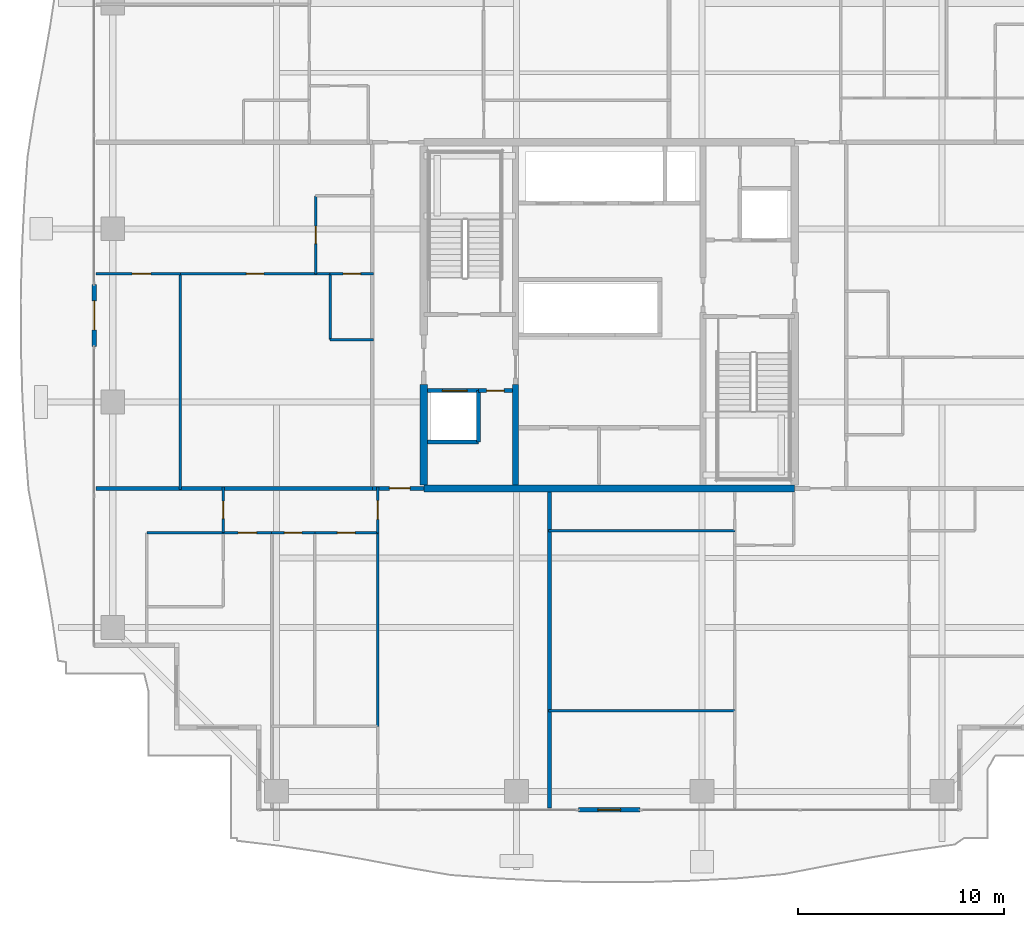
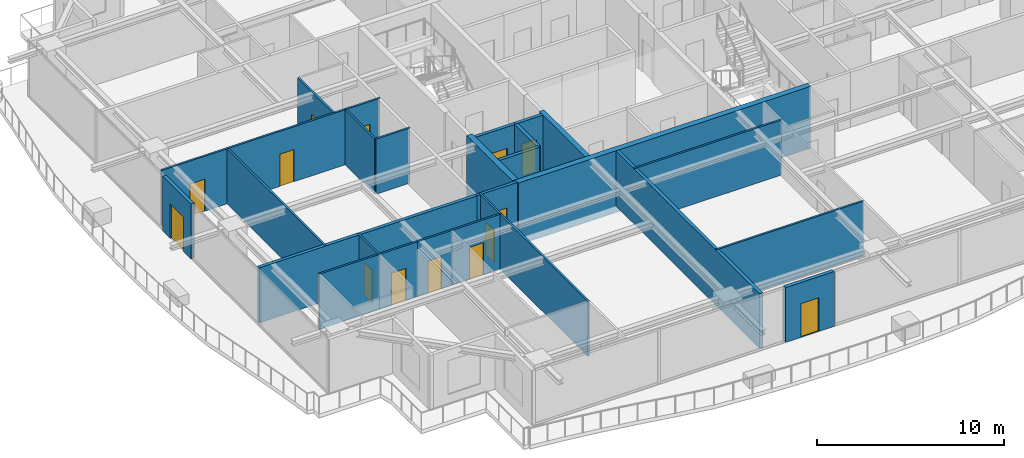
# One storey, part 24 of 35: 28 walls, 14 doors, 14 openings.
"""IFC4 building model written with IfcOpenShell, lengths in metres."""

from ifc_helpers import new_model, si_unit, direction, frame, frame_2d, origin, place, context, subcontext, project, spatial, rectangle, extrude, source, transform, mapped, material, layer, layer_set, type_object, element, fill, save


model = new_model("IFC4")

# Units and contexts
model_context = context("Model", 3, precision=1e-05, world=origin(), true_north=direction((0.0, 1.0)))
body_context = subcontext(model_context, "Body", "Model", "MODEL_VIEW")
ifc_project = project(units=[si_unit("LENGTHUNIT", "METRE"), si_unit("AREAUNIT", "SQUARE_METRE"), si_unit("VOLUMEUNIT", "CUBIC_METRE"), si_unit("PLANEANGLEUNIT", "RADIAN"), si_unit("MASSUNIT", "GRAM", prefix="KILO")], contexts=[model_context])

# Site, building, storey
site_placement = place(None, origin())
site = spatial("IfcSite", under=ifc_project, at=site_placement, CompositionType="ELEMENT")
building_placement = place(site_placement, origin())
building = spatial("IfcBuilding", under=site, at=building_placement, Name="Serunith Strait Residences", CompositionType="ELEMENT")
storey_placement = place(building_placement, frame((0.0, 0.0, 210.449951171875)))
storey = spatial("IfcBuildingStorey", under=building, at=storey_placement, Name="L52", CompositionType="ELEMENT", Elevation=210.449951171875)

# Wall, opening, door
ifc_material_1 = material(Name="Pale-Champagne Aluminium Insulated Panel", Category="aluminium")
ifc_layer_1 = layer(ifc_material_1, 0.219970703125, Name="Pale-Champagne Aluminium Insulated Panel")
ifc_layer_set_1 = layer_set([ifc_layer_1], Name="Pale-Champagne Aluminium Insulated Panel")
wall_type_1 = type_object("IfcWallType", Name="EW-ALUM-220", PredefinedType="ELEMENTEDWALL", material=ifc_layer_set_1)
wall_1_placement = place(storey_placement, frame((30.89990234375, 1.199951171875, 0.0), z_axis=(0.0, 0.0, 1.0), x_axis=(1.0, 0.0, 0.0)))
wall_1 = element("IfcWall", 1, at=wall_1_placement, inside=storey, type_object=wall_type_1, Name="L52 S Facade Pier Wall", PredefinedType="ELEMENTEDWALL", context=body_context, shape_type="SweptSolid", body=[
    extrude(rectangle(XDim=3.0, YDim=0.219970703125, at=frame_2d((1.5, 0.0))), origin(), (0.0, 0.0, 1.0), 3.574951171875),
])
opening_1_placement = place(wall_1_placement, frame((0.949951171875, 0.0, 0.0)))
opening_1 = element("IfcOpeningElement", 2, at=opening_1_placement, cuts=wall_1, Name="Opening ED-03", PredefinedType="OPENING", context=body_context, shape_type="SweptSolid", body=[
    extrude(rectangle(XDim=1.10009765625, YDim=2.199951171875, at=frame_2d((0.550048828125, 1.10009765625))), frame((0.0, 0.1201171875, 0.0), z_axis=(0.0, -1.0, 0.0), x_axis=(1.0, 0.0, 0.0)), (0.0, 0.0, 1.0), 0.239990234375),
])
ifc_material_2 = material(Name="Thermally-Broken Aluminium Glazed Balcony Door", Category="aluminium")
door_type_1 = type_object("IfcDoorType", Name="ED-BALC-1100", OperationType="NOTDEFINED", PredefinedType="DOOR", material=ifc_material_2)
shared_shape_1 = source(origin(), body_context, "Body", "SweptSolid", [
    extrude(rectangle(XDim=1.10009765625, YDim=2.199951171875, at=frame_2d((0.550048828125, 1.10009765625))), frame((0.0, 0.02490234375, 0.0), z_axis=(0.0, -1.0, 0.0), x_axis=(1.0, 0.0, 0.0)), (0.0, 0.0, 1.0), 0.050048828125),
])
door_1_placement = place(opening_1_placement, origin())
door_1 = element("IfcDoor", 3, at=door_1_placement, inside=storey, type_object=door_type_1, Name="L52 S Vertical-Forest Balcony Door", OperationType="SINGLE_SWING_LEFT", OverallHeight=2.199951171875, OverallWidth=1.10009765625, PredefinedType="DOOR", context=body_context, shape_type="MappedRepresentation", body=[
    mapped(shared_shape_1, transform((0.0, 0.0, 0.0), scale=1.0)),
])
fill(opening_1, door_1)

wall_2_placement = place(storey_placement, frame((7.39990234375, 26.699951171875, 0.0), z_axis=(0.0, 0.0, 1.0), x_axis=(0.0, -1.0, 0.0)))
wall_2 = element("IfcWall", 4, at=wall_2_placement, inside=storey, type_object=wall_type_1, Name="L52 W Facade Pier Wall", PredefinedType="ELEMENTEDWALL", context=body_context, shape_type="SweptSolid", body=[
    extrude(rectangle(XDim=3.0, YDim=0.219970703125, at=frame_2d((1.5, 0.0))), origin(), (0.0, 0.0, 1.0), 3.574951171875),
])
opening_2_placement = place(wall_2_placement, frame((0.800048828125, 0.0, 0.0)))
opening_2 = element("IfcOpeningElement", 5, at=opening_2_placement, cuts=wall_2, Name="Opening ED-04", PredefinedType="OPENING", context=body_context, shape_type="SweptSolid", body=[
    extrude(rectangle(XDim=1.39990234375, YDim=2.25, at=frame_2d((0.699951171875, 1.125))), frame((0.0, 0.1201171875, 0.0), z_axis=(0.0, -1.0, 0.0), x_axis=(1.0, 0.0, 0.0)), (0.0, 0.0, 1.0), 0.239990234375),
])
ifc_material_3 = material(Name="Thermally-Broken Aluminium Sliding Balcony Door", Category="aluminium")
door_type_2 = type_object("IfcDoorType", Name="ED-BALC-1400", OperationType="NOTDEFINED", PredefinedType="DOOR", material=ifc_material_3)
shared_shape_2 = source(origin(), body_context, "Body", "SweptSolid", [
    extrude(rectangle(XDim=1.39990234375, YDim=2.25, at=frame_2d((0.699951171875, 1.125))), frame((0.0, 0.02490234375, 0.0), z_axis=(0.0, -1.0, 0.0), x_axis=(1.0, 0.0, 0.0)), (0.0, 0.0, 1.0), 0.050048828125),
])
door_2_placement = place(opening_2_placement, origin())
door_2 = element("IfcDoor", 6, at=door_2_placement, inside=storey, type_object=door_type_2, Name="L52 W Vertical-Forest Balcony Door", OperationType="SLIDING_TO_LEFT", OverallHeight=2.25, OverallWidth=1.39990234375, PredefinedType="DOOR", context=body_context, shape_type="MappedRepresentation", body=[
    mapped(shared_shape_2, transform((0.0, 0.0, 0.0), scale=1.0)),
])
fill(opening_2, door_2)

ifc_material_4 = material(Name="Fire-rated acoustic gypsum partition")
ifc_layer_2 = layer(ifc_material_4, 0.179931640625, Name="Fire-rated acoustic gypsum partition")
ifc_layer_set_2 = layer_set([ifc_layer_2], Name="Fire-rated acoustic gypsum partition")
wall_type_2 = type_object("IfcWallType", Name="IW-CORR-180", PredefinedType="PARTITIONING", material=ifc_layer_set_2)
wall_3_placement = place(storey_placement, frame((20.902099609375, 16.800048828125, 0.0), z_axis=(0.0, 0.0, 1.0), x_axis=(1.0, 0.0, 0.0)))
wall_3 = element("IfcWall", 7, at=wall_3_placement, inside=storey, type_object=wall_type_2, Name="L52 Partition Wall 022", PredefinedType="PARTITIONING", context=body_context, shape_type="SweptSolid", body=[
    extrude(rectangle(XDim=2.495849609375, YDim=0.179931640625, at=frame_2d((1.248046875, 0.0))), origin(), (0.0, 0.0, 1.0), 3.590087890625),
])
opening_3_placement = place(wall_3_placement, frame((0.830078125, 0.0, 0.0)))
opening_3 = element("IfcOpeningElement", 8, at=opening_3_placement, cuts=wall_3, Name="Opening D-APT1000", PredefinedType="OPENING", context=body_context, shape_type="SweptSolid", body=[
    extrude(rectangle(XDim=1.0, YDim=2.14990234375, at=frame_2d((0.5, 1.074951171875))), frame((0.0, 0.10009765625, 0.0), z_axis=(0.0, -1.0, 0.0), x_axis=(1.0, 0.0, 0.0)), (0.0, 0.0, 1.0), 0.199951171875),
])
ifc_material_5 = material(Name="Solid timber engineered fire door", Category="wood")
door_type_3 = type_object("IfcDoorType", Name="ID-APT-1000", OperationType="NOTDEFINED", PredefinedType="DOOR", material=ifc_material_5)
shared_shape_3 = source(origin(), body_context, "Body", "SweptSolid", [
    extrude(rectangle(XDim=1.0, YDim=2.14990234375, at=frame_2d((0.5, 1.074951171875))), frame((0.0, 0.02490234375, 0.0), z_axis=(0.0, -1.0, 0.0), x_axis=(1.0, 0.0, 0.0)), (0.0, 0.0, 1.0), 0.050048828125),
])
door_3_placement = place(opening_3_placement, origin())
door_3 = element("IfcDoor", 9, at=door_3_placement, inside=storey, type_object=door_type_3, Name="L52 Unit 01 Entrance Door", OperationType="SINGLE_SWING_LEFT", OverallHeight=2.14990234375, OverallWidth=1.0, PredefinedType="DOOR", context=body_context, shape_type="MappedRepresentation", body=[
    mapped(shared_shape_3, transform((0.0, 0.0, 0.0), scale=1.0)),
])
fill(opening_3, door_3)

ifc_material_6 = material(Name="Lightweight steel-stud gypsum partition", Category="steel")
ifc_layer_3 = layer(ifc_material_6, 0.1201171875, Name="Lightweight steel-stud gypsum partition")
ifc_layer_set_3 = layer_set([ifc_layer_3], Name="Lightweight steel-stud gypsum partition")
wall_type_3 = type_object("IfcWallType", Name="IW-PART-120", PredefinedType="PARTITIONING", material=ifc_layer_set_3)
wall_4_placement = place(storey_placement, frame((21.159912109375, 14.64990234375, 0.0), z_axis=(0.0, 0.0, 1.0), x_axis=(0.0, 1.0, 0.0)))
wall_4 = element("IfcWall", 10, at=wall_4_placement, inside=storey, type_object=wall_type_3, Name="L52 Partition Wall 028", PredefinedType="PARTITIONING", context=body_context, shape_type="SweptSolid", body=[
    extrude(rectangle(XDim=2.210205078125, YDim=0.1201171875, at=frame_2d((1.10498046875, 0.0))), origin(), (0.0, 0.0, 1.0), 3.590087890625),
])
opening_4_placement = place(wall_4_placement, frame((0.655029296875, 0.0, 0.0)))
opening_4 = element("IfcOpeningElement", 11, at=opening_4_placement, cuts=wall_4, Name="Opening D-RM900", PredefinedType="OPENING", context=body_context, shape_type="SweptSolid", body=[
    extrude(rectangle(XDim=0.89990234375, YDim=2.10009765625, at=frame_2d((0.449951171875, 1.050048828125))), frame((0.0, 0.070068359375, 0.0), z_axis=(0.0, -1.0, 0.0), x_axis=(1.0, 0.0, 0.0)), (0.0, 0.0, 1.0), 0.14013671875),
])
ifc_material_7 = material(Name="Engineered timber flush bedroom door", Category="wood")
door_type_4 = type_object("IfcDoorType", Name="ID-ROOM-900", OperationType="NOTDEFINED", PredefinedType="DOOR", material=ifc_material_7)
shared_shape_4 = source(origin(), body_context, "Body", "SweptSolid", [
    extrude(rectangle(XDim=0.89990234375, YDim=2.10009765625, at=frame_2d((0.449951171875, 1.050048828125))), frame((0.0, 0.02490234375, 0.0), z_axis=(0.0, -1.0, 0.0), x_axis=(1.0, 0.0, 0.0)), (0.0, 0.0, 1.0), 0.050048828125),
])
door_4_placement = place(opening_4_placement, origin())
door_4 = element("IfcDoor", 12, at=door_4_placement, inside=storey, type_object=door_type_4, Name="L52 Hall W 5201 Door", OperationType="SINGLE_SWING_LEFT", OverallHeight=2.10009765625, OverallWidth=0.89990234375, PredefinedType="DOOR", context=body_context, shape_type="MappedRepresentation", body=[
    mapped(shared_shape_4, transform((0.0, 0.0, 0.0), scale=1.0)),
])
fill(opening_4, door_4)

# Wall
wall_5_placement = place(storey_placement, frame((21.159912109375, 5.2529296875, 0.0), z_axis=(0.0, 0.0, 1.0), x_axis=(0.0, 1.0, 0.0)))
element("IfcWall", 13, at=wall_5_placement, inside=storey, type_object=wall_type_3, Name="L52 Partition Wall 030", PredefinedType="PARTITIONING", context=body_context, shape_type="SweptSolid", body=[
    extrude(rectangle(XDim=9.39501953125, YDim=0.1201171875, at=frame_2d((4.697509765625, 0.0))), origin(), (0.0, 0.0, 1.0), 3.590087890625),
])

# Wall, opening, door
wall_6_placement = place(storey_placement, frame((16.010009765625, 14.64990234375, 0.0), z_axis=(0.0, 0.0, 1.0), x_axis=(1.0, 0.0, 0.0)))
wall_6 = element("IfcWall", 14, at=wall_6_placement, inside=storey, type_object=wall_type_3, Name="L52 Partition Wall 034", PredefinedType="PARTITIONING", context=body_context, shape_type="SweptSolid", body=[
    extrude(rectangle(XDim=2.10009765625, YDim=0.1201171875, at=frame_2d((1.050048828125, 0.0))), origin(), (0.0, 0.0, 1.0), 3.590087890625),
])
opening_5_placement = place(wall_6_placement, frame((0.625, 0.0, 0.0)))
opening_5 = element("IfcOpeningElement", 15, at=opening_5_placement, cuts=wall_6, Name="Opening D-BTH850", PredefinedType="OPENING", context=body_context, shape_type="SweptSolid", body=[
    extrude(rectangle(XDim=0.85009765625, YDim=2.10009765625, at=frame_2d((0.425048828125, 1.050048828125))), frame((0.0, 0.070068359375, 0.0), z_axis=(0.0, -1.0, 0.0), x_axis=(1.0, 0.0, 0.0)), (0.0, 0.0, 1.0), 0.14013671875),
])
ifc_material_8 = material(Name="Moisture-resistant timber bathroom door", Category="wood")
door_type_5 = type_object("IfcDoorType", Name="ID-BATH-850", OperationType="NOTDEFINED", PredefinedType="DOOR", material=ifc_material_8)
shared_shape_5 = source(origin(), body_context, "Body", "SweptSolid", [
    extrude(rectangle(XDim=0.85009765625, YDim=2.10009765625, at=frame_2d((0.425048828125, 1.050048828125))), frame((0.0, 0.02490234375, 0.0), z_axis=(0.0, -1.0, 0.0), x_axis=(1.0, 0.0, 0.0)), (0.0, 0.0, 1.0), 0.050048828125),
])
door_5_placement = place(opening_5_placement, origin())
door_5 = element("IfcDoor", 16, at=door_5_placement, inside=storey, type_object=door_type_5, Name="L52 Bathroom 5201 Door", OperationType="SINGLE_SWING_LEFT", OverallHeight=2.10009765625, OverallWidth=0.85009765625, PredefinedType="DOOR", context=body_context, shape_type="MappedRepresentation", body=[
    mapped(shared_shape_5, transform((0.0, 0.0, 0.0), scale=1.0)),
])
fill(opening_5, door_5)

wall_7_placement = place(storey_placement, frame((18.112060546875, 14.64990234375, 0.0), z_axis=(0.0, 0.0, 1.0), x_axis=(1.0, 0.0, 0.0)))
wall_7 = element("IfcWall", 17, at=wall_7_placement, inside=storey, type_object=wall_type_3, Name="L52 Partition Wall 035", PredefinedType="PARTITIONING", context=body_context, shape_type="SweptSolid", body=[
    extrude(rectangle(XDim=3.0478515625, YDim=0.1201171875, at=frame_2d((1.52392578125, 0.0))), origin(), (0.0, 0.0, 1.0), 3.590087890625),
])
opening_6_placement = place(wall_7_placement, frame((1.09912109375, 0.0, 0.0)))
opening_6 = element("IfcOpeningElement", 18, at=opening_6_placement, cuts=wall_7, Name="Opening D-RM850", PredefinedType="OPENING", context=body_context, shape_type="SweptSolid", body=[
    extrude(rectangle(XDim=0.85009765625, YDim=2.10009765625, at=frame_2d((0.425048828125, 1.050048828125))), frame((0.0, 0.070068359375, 0.0), z_axis=(0.0, -1.0, 0.0), x_axis=(1.0, 0.0, 0.0)), (0.0, 0.0, 1.0), 0.14013671875),
])
ifc_material_9 = material(Name="Engineered timber flush study and kitchen door", Category="wood")
door_type_6 = type_object("IfcDoorType", Name="ID-ROOM-850", OperationType="NOTDEFINED", PredefinedType="DOOR", material=ifc_material_9)
door_6_placement = place(opening_6_placement, origin())
door_6 = element("IfcDoor", 19, at=door_6_placement, inside=storey, type_object=door_type_6, Name="L52 Kitchen 5201 Door", OperationType="SINGLE_SWING_RIGHT", OverallHeight=2.10009765625, OverallWidth=0.85009765625, PredefinedType="DOOR", context=body_context, shape_type="MappedRepresentation", body=[
    mapped(shared_shape_5, transform((0.0, 0.0, 0.0), scale=1.0)),
])
fill(opening_6, door_6)

wall_8_placement = place(storey_placement, frame((13.659912109375, 14.64990234375, 0.0), z_axis=(0.0, 0.0, 1.0), x_axis=(1.0, 0.0, 0.0)))
wall_8 = element("IfcWall", 20, at=wall_8_placement, inside=storey, type_object=wall_type_3, Name="L52 Partition Wall 036", PredefinedType="PARTITIONING", context=body_context, shape_type="SweptSolid", body=[
    extrude(rectangle(XDim=2.34814453125, YDim=0.1201171875, at=frame_2d((1.174072265625, 0.0))), origin(), (0.0, 0.0, 1.0), 3.590087890625),
])
opening_7_placement = place(wall_8_placement, frame((0.72412109375, 0.0, 0.0)))
opening_7 = element("IfcOpeningElement", 21, at=opening_7_placement, cuts=wall_8, Name="Opening D-RM900", PredefinedType="OPENING", context=body_context, shape_type="SweptSolid", body=[
    extrude(rectangle(XDim=0.89990234375, YDim=2.10009765625, at=frame_2d((0.449951171875, 1.050048828125))), frame((0.0, 0.070068359375, 0.0), z_axis=(0.0, -1.0, 0.0), x_axis=(1.0, 0.0, 0.0)), (0.0, 0.0, 1.0), 0.14013671875),
])
door_7_placement = place(opening_7_placement, origin())
door_7 = element("IfcDoor", 22, at=door_7_placement, inside=storey, type_object=door_type_4, Name="L52 Master Bedroom W 5201 Door", OperationType="SINGLE_SWING_LEFT", OverallHeight=2.10009765625, OverallWidth=0.89990234375, PredefinedType="DOOR", context=body_context, shape_type="MappedRepresentation", body=[
    mapped(shared_shape_4, transform((0.0, 0.0, 0.0), scale=1.0)),
])
fill(opening_7, door_7)

# Wall
wall_9_placement = place(storey_placement, frame((9.9599609375, 14.64990234375, 0.0), z_axis=(0.0, 0.0, 1.0), x_axis=(1.0, 0.0, 0.0)))
element("IfcWall", 23, at=wall_9_placement, inside=storey, type_object=wall_type_3, Name="L52 Partition Wall 039", PredefinedType="PARTITIONING", context=body_context, shape_type="SweptSolid", body=[
    extrude(rectangle(XDim=3.697998046875, YDim=0.1201171875, at=frame_2d((1.84912109375, 0.0))), origin(), (0.0, 0.0, 1.0), 3.590087890625),
])

# Wall, opening, door
wall_10_placement = place(storey_placement, frame((13.659912109375, 14.652099609375, 0.0), z_axis=(0.0, 0.0, 1.0), x_axis=(0.0, 1.0, 0.0)))
wall_10 = element("IfcWall", 24, at=wall_10_placement, inside=storey, type_object=wall_type_3, Name="L52 Partition Wall 041", PredefinedType="PARTITIONING", context=body_context, shape_type="SweptSolid", body=[
    extrude(rectangle(XDim=2.2080078125, YDim=0.1201171875, at=frame_2d((1.10400390625, 0.0))), origin(), (0.0, 0.0, 1.0), 3.590087890625),
])
opening_8_placement = place(wall_10_placement, frame((0.678955078125, 0.0, 0.0)))
opening_8 = element("IfcOpeningElement", 25, at=opening_8_placement, cuts=wall_10, Name="Opening D-RM850", PredefinedType="OPENING", context=body_context, shape_type="SweptSolid", body=[
    extrude(rectangle(XDim=0.85009765625, YDim=2.10009765625, at=frame_2d((0.425048828125, 1.050048828125))), frame((0.0, 0.070068359375, 0.0), z_axis=(0.0, -1.0, 0.0), x_axis=(1.0, 0.0, 0.0)), (0.0, 0.0, 1.0), 0.14013671875),
])
door_8_placement = place(opening_8_placement, origin())
door_8 = element("IfcDoor", 26, at=door_8_placement, inside=storey, type_object=door_type_6, Name="L52 Wardrobe W 5201 Door", OperationType="SINGLE_SWING_LEFT", OverallHeight=2.10009765625, OverallWidth=0.85009765625, PredefinedType="DOOR", context=body_context, shape_type="MappedRepresentation", body=[
    mapped(shared_shape_5, transform((0.0, 0.0, 0.0), scale=1.0)),
])
fill(opening_8, door_8)

# Walls
for number, where, z_axis, x_axis, name in (
    (27, (29.43994140625, 6.02197265625, 0.0), (0.0, 0.0, 1.0), (1.0, 0.0, 0.0), "L52 Partition Wall 045"),
    (28, (29.43994140625, 14.75, 0.0), (0.0, 0.0, 1.0), (1.0, 0.0, 0.0), "L52 Partition Wall 046"),
):
    element("IfcWall", number, at=place(storey_placement, frame(where, z_axis=z_axis, x_axis=x_axis)), inside=storey, type_object=wall_type_3, Name=name, PredefinedType="PARTITIONING", context=body_context, shape_type="SweptSolid", body=[
        extrude(rectangle(XDim=9.06005859375, YDim=0.1201171875, at=frame_2d((4.530029296875, 0.0))), origin(), (0.0, 0.0, 1.0), 3.590087890625),
    ])

# Wall, opening, door
wall_11_placement = place(storey_placement, frame((18.14990234375, 27.219970703125, 0.0), z_axis=(0.0, 0.0, 1.0), x_axis=(0.0, 1.0, 0.0)))
wall_11 = element("IfcWall", 29, at=wall_11_placement, inside=storey, type_object=wall_type_3, Name="L52 Partition Wall 082", PredefinedType="PARTITIONING", context=body_context, shape_type="SweptSolid", body=[
    extrude(rectangle(XDim=3.780029296875, YDim=0.1201171875, at=frame_2d((1.89013671875, 0.0))), origin(), (0.0, 0.0, 1.0), 3.590087890625),
])
opening_9_placement = place(wall_11_placement, frame((1.465087890625, 0.0, 0.0)))
opening_9 = element("IfcOpeningElement", 30, at=opening_9_placement, cuts=wall_11, Name="Opening D-RM850", PredefinedType="OPENING", context=body_context, shape_type="SweptSolid", body=[
    extrude(rectangle(XDim=0.85009765625, YDim=2.10009765625, at=frame_2d((0.425048828125, 1.050048828125))), frame((0.0, 0.070068359375, 0.0), z_axis=(0.0, -1.0, 0.0), x_axis=(1.0, 0.0, 0.0)), (0.0, 0.0, 1.0), 0.14013671875),
])
door_9_placement = place(opening_9_placement, origin())
door_9 = element("IfcDoor", 31, at=door_9_placement, inside=storey, type_object=door_type_6, Name="L52 Kitchen 5205 Door", OperationType="SINGLE_SWING_LEFT", OverallHeight=2.10009765625, OverallWidth=0.85009765625, PredefinedType="DOOR", context=body_context, shape_type="MappedRepresentation", body=[
    mapped(shared_shape_5, transform((0.0, 0.0, 0.0), scale=1.0)),
])
fill(opening_9, door_9)

wall_12_placement = place(storey_placement, frame((7.4951171875, 27.219970703125, 0.0), z_axis=(0.0, 0.0, 1.0), x_axis=(1.0, 0.0, 0.0)))
wall_12 = element("IfcWall", 32, at=wall_12_placement, inside=storey, type_object=wall_type_3, Name="L52 Partition Wall 084", PredefinedType="PARTITIONING", context=body_context, shape_type="SweptSolid", body=[
    extrude(rectangle(XDim=4.0888671875, YDim=0.1201171875, at=frame_2d((2.04443359375, 0.0))), origin(), (0.0, 0.0, 1.0), 3.590087890625),
])
opening_10_placement = place(wall_12_placement, frame((1.75390625, 0.0, 0.0)))
opening_10 = element("IfcOpeningElement", 33, at=opening_10_placement, cuts=wall_12, Name="Opening D-RM900", PredefinedType="OPENING", context=body_context, shape_type="SweptSolid", body=[
    extrude(rectangle(XDim=0.89990234375, YDim=2.10009765625, at=frame_2d((0.449951171875, 1.050048828125))), frame((0.0, 0.070068359375, 0.0), z_axis=(0.0, -1.0, 0.0), x_axis=(1.0, 0.0, 0.0)), (0.0, 0.0, 1.0), 0.14013671875),
])
door_10_placement = place(opening_10_placement, origin())
door_10 = element("IfcDoor", 34, at=door_10_placement, inside=storey, type_object=door_type_4, Name="L52 Master Bedroom 1 5205 Door", OperationType="SINGLE_SWING_RIGHT", OverallHeight=2.10009765625, OverallWidth=0.89990234375, PredefinedType="DOOR", context=body_context, shape_type="MappedRepresentation", body=[
    mapped(shared_shape_4, transform((0.0, 0.0, 0.0), scale=1.0)),
])
fill(opening_10, door_10)

# Walls
wall_13_placement = place(storey_placement, frame((11.583984375, 16.739990234375, 0.0), z_axis=(0.0, 0.0, 1.0), x_axis=(0.0, 1.0, 0.0)))
element("IfcWall", 35, at=wall_13_placement, inside=storey, type_object=wall_type_3, Name="L52 Partition Wall 085", PredefinedType="PARTITIONING", context=body_context, shape_type="SweptSolid", body=[
    extrude(rectangle(XDim=10.47998046875, YDim=0.1201171875, at=frame_2d((5.239990234375, 0.0))), origin(), (0.0, 0.0, 1.0), 3.590087890625),
])
wall_14_placement = place(storey_placement, frame((18.85009765625, 24.02001953125, 0.0), z_axis=(0.0, 0.0, 1.0), x_axis=(0.0, 1.0, 0.0)))
element("IfcWall", 36, at=wall_14_placement, inside=storey, type_object=wall_type_3, Name="L52 Partition Wall 086", PredefinedType="PARTITIONING", context=body_context, shape_type="SweptSolid", body=[
    extrude(rectangle(XDim=3.199951171875, YDim=0.1201171875, at=frame_2d((1.60009765625, 0.0))), origin(), (0.0, 0.0, 1.0), 3.590087890625),
])
wall_15_placement = place(storey_placement, frame((18.85009765625, 24.02001953125, 0.0), z_axis=(0.0, 0.0, 1.0), x_axis=(1.0, 0.0, 0.0)))
element("IfcWall", 37, at=wall_15_placement, inside=storey, type_object=wall_type_3, Name="L52 Partition Wall 087", PredefinedType="PARTITIONING", context=body_context, shape_type="SweptSolid", body=[
    extrude(rectangle(XDim=2.10986328125, YDim=0.1201171875, at=frame_2d((1.054931640625, 0.0))), origin(), (0.0, 0.0, 1.0), 3.590087890625),
])

# Wall, opening, door
wall_16_placement = place(storey_placement, frame((11.5859375, 27.219970703125, 0.0), z_axis=(0.0, 0.0, 1.0), x_axis=(1.0, 0.0, 0.0)))
wall_16 = element("IfcWall", 38, at=wall_16_placement, inside=storey, type_object=wall_type_3, Name="L52 Partition Wall 088", PredefinedType="PARTITIONING", context=body_context, shape_type="SweptSolid", body=[
    extrude(rectangle(XDim=7.26416015625, YDim=0.1201171875, at=frame_2d((3.632080078125, 0.0))), origin(), (0.0, 0.0, 1.0), 3.590087890625),
])
opening_11_placement = place(wall_16_placement, frame((3.20703125, 0.0, 0.0)))
opening_11 = element("IfcOpeningElement", 39, at=opening_11_placement, cuts=wall_16, Name="Opening D-RM850", PredefinedType="OPENING", context=body_context, shape_type="SweptSolid", body=[
    extrude(rectangle(XDim=0.85009765625, YDim=2.10009765625, at=frame_2d((0.425048828125, 1.050048828125))), frame((0.0, 0.070068359375, 0.0), z_axis=(0.0, -1.0, 0.0), x_axis=(1.0, 0.0, 0.0)), (0.0, 0.0, 1.0), 0.14013671875),
])
door_11_placement = place(opening_11_placement, origin())
door_11 = element("IfcDoor", 40, at=door_11_placement, inside=storey, type_object=door_type_6, Name="L52 Walk-in Wardrobe 5205 Door", OperationType="SINGLE_SWING_LEFT", OverallHeight=2.10009765625, OverallWidth=0.85009765625, PredefinedType="DOOR", context=body_context, shape_type="MappedRepresentation", body=[
    mapped(shared_shape_5, transform((0.0, 0.0, 0.0), scale=1.0)),
])
fill(opening_11, door_11)

wall_17_placement = place(storey_placement, frame((18.85205078125, 27.219970703125, 0.0), z_axis=(0.0, 0.0, 1.0), x_axis=(1.0, 0.0, 0.0)))
wall_17 = element("IfcWall", 41, at=wall_17_placement, inside=storey, type_object=wall_type_3, Name="L52 Partition Wall 089", PredefinedType="PARTITIONING", context=body_context, shape_type="SweptSolid", body=[
    extrude(rectangle(XDim=2.10791015625, YDim=0.1201171875, at=frame_2d((1.053955078125, 0.0))), origin(), (0.0, 0.0, 1.0), 3.590087890625),
])
opening_12_placement = place(wall_17_placement, frame((0.62890625, 0.0, 0.0)))
opening_12 = element("IfcOpeningElement", 42, at=opening_12_placement, cuts=wall_17, Name="Opening D-BTH850", PredefinedType="OPENING", context=body_context, shape_type="SweptSolid", body=[
    extrude(rectangle(XDim=0.85009765625, YDim=2.10009765625, at=frame_2d((0.425048828125, 1.050048828125))), frame((0.0, 0.070068359375, 0.0), z_axis=(0.0, -1.0, 0.0), x_axis=(1.0, 0.0, 0.0)), (0.0, 0.0, 1.0), 0.14013671875),
])
door_12_placement = place(opening_12_placement, origin())
door_12 = element("IfcDoor", 43, at=door_12_placement, inside=storey, type_object=door_type_5, Name="L52 Bathroom 5205 Door", OperationType="SINGLE_SWING_RIGHT", OverallHeight=2.10009765625, OverallWidth=0.85009765625, PredefinedType="DOOR", context=body_context, shape_type="MappedRepresentation", body=[
    mapped(shared_shape_5, transform((0.0, 0.0, 0.0), scale=1.0)),
])
fill(opening_12, door_12)

# Walls
ifc_material_10 = material(Name="Twin-stud acoustic gypsum board partition")
ifc_layer_4 = layer(ifc_material_10, 0.199951171875, Name="Twin-stud acoustic gypsum board partition")
ifc_layer_set_4 = layer_set([ifc_layer_4], Name="Twin-stud acoustic gypsum board partition")
wall_type_4 = type_object("IfcWallType", Name="IW-PARTY-200", PredefinedType="PARTITIONING", material=ifc_layer_set_4)
wall_18_placement = place(storey_placement, frame((29.5, 1.281982421875, 0.0), z_axis=(0.0, 0.0, 1.0), x_axis=(0.0, 1.0, 0.0)))
element("IfcWall", 44, at=wall_18_placement, inside=storey, type_object=wall_type_4, Name="L52 Partition Wall 016", PredefinedType="PARTITIONING", context=body_context, shape_type="SweptSolid", body=[
    extrude(rectangle(XDim=15.343017578125, YDim=0.199951171875, at=frame_2d((7.67138671875, 0.0))), origin(), (0.0, 0.0, 1.0), 3.590087890625),
])
wall_19_placement = place(storey_placement, frame((7.48193359375, 16.800048828125, 0.0), z_axis=(0.0, 0.0, 1.0), x_axis=(1.0, 0.0, 0.0)))
element("IfcWall", 45, at=wall_19_placement, inside=storey, type_object=wall_type_4, Name="L52 Partition Wall 018", PredefinedType="PARTITIONING", context=body_context, shape_type="SweptSolid", body=[
    extrude(rectangle(XDim=13.41796875, YDim=0.199951171875, at=frame_2d((6.708984375, 0.0))), origin(), (0.0, 0.0, 1.0), 3.590087890625),
])

# Wall, opening, door
ifc_material_11 = material(Name="Autoclaved aerated concrete blockwork", Category="masonry")
ifc_layer_5 = layer(ifc_material_11, 0.199951171875, Name="Autoclaved aerated concrete blockwork")
ifc_layer_set_5 = layer_set([ifc_layer_5], Name="Autoclaved aerated concrete blockwork")
wall_type_5 = type_object("IfcWallType", Name="IW-SHAFT-200", PredefinedType="STANDARD", material=ifc_layer_set_5)
wall_20_placement = place(storey_placement, frame((23.574951171875, 21.550048828125, 0.0), z_axis=(0.0, 0.0, 1.0), x_axis=(1.0, 0.0, 0.0)))
wall_20 = element("IfcWall", 46, at=wall_20_placement, inside=storey, type_object=wall_type_5, Name="L52 FL-1 North Shaft Wall", PredefinedType="STANDARD", context=body_context, shape_type="SweptSolid", body=[
    extrude(rectangle(XDim=2.47509765625, YDim=0.199951171875, at=frame_2d((1.237548828125, 0.0))), origin(), (0.0, 0.0, 1.0), 3.590087890625),
])
opening_13_placement = place(wall_20_placement, frame((0.72509765625, 0.0, 0.0)))
opening_13 = element("IfcOpeningElement", 47, at=opening_13_placement, cuts=wall_20, Name="Opening LD-FF1200", PredefinedType="OPENING", context=body_context, shape_type="SweptSolid", body=[
    extrude(rectangle(XDim=1.199951171875, YDim=2.199951171875, at=frame_2d((0.60009765625, 1.10009765625))), frame((0.0, 0.10986328125, 0.0), z_axis=(0.0, -1.0, 0.0), x_axis=(1.0, 0.0, 0.0)), (0.0, 0.0, 1.0), 0.219970703125),
])
ifc_material_12 = material(Name="Brushed stainless steel landing door", Category="steel")
door_type_7 = type_object("IfcDoorType", Name="LD-FF-1200", OperationType="DOUBLE_DOOR_SLIDING", PredefinedType="DOOR", material=ifc_material_12)
shared_shape_6 = source(origin(), body_context, "Body", "SweptSolid", [
    extrude(rectangle(XDim=1.199951171875, YDim=2.199951171875, at=frame_2d((0.60009765625, 1.10009765625))), frame((0.0, 0.02490234375, 0.0), z_axis=(0.0, -1.0, 0.0), x_axis=(1.0, 0.0, 0.0)), (0.0, 0.0, 1.0), 0.050048828125),
])
door_13_placement = place(opening_13_placement, origin())
door_13 = element("IfcDoor", 48, at=door_13_placement, inside=storey, type_object=door_type_7, Name="L52 FL-1 Landing Door", OperationType="DOUBLE_DOOR_SLIDING", OverallHeight=2.199951171875, OverallWidth=1.199951171875, PredefinedType="DOOR", context=body_context, shape_type="MappedRepresentation", body=[
    mapped(shared_shape_6, transform((0.0, 0.0, 0.0), scale=1.0)),
])
fill(opening_13, door_13)

# Walls
wall_21_placement = place(storey_placement, frame((26.050048828125, 19.050048828125, 0.0), z_axis=(0.0, 0.0, 1.0), x_axis=(0.0, 1.0, 0.0)))
element("IfcWall", 49, at=wall_21_placement, inside=storey, type_object=wall_type_5, Name="L52 Partition Wall 001", PredefinedType="STANDARD", context=body_context, shape_type="SweptSolid", body=[
    extrude(rectangle(XDim=2.5, YDim=0.199951171875, at=frame_2d((1.25, 0.0))), origin(), (0.0, 0.0, 1.0), 3.590087890625),
])
wall_22_placement = place(storey_placement, frame((23.574951171875, 19.050048828125, 0.0), z_axis=(0.0, 0.0, 1.0), x_axis=(1.0, 0.0, 0.0)))
element("IfcWall", 50, at=wall_22_placement, inside=storey, type_object=wall_type_5, Name="L52 Partition Wall 002", PredefinedType="STANDARD", context=body_context, shape_type="SweptSolid", body=[
    extrude(rectangle(XDim=2.47509765625, YDim=0.199951171875, at=frame_2d((1.237548828125, 0.0))), origin(), (0.0, 0.0, 1.0), 3.590087890625),
])

# Wall, opening, door
wall_23_placement = place(storey_placement, frame((26.052001953125, 21.550048828125, 0.0), z_axis=(0.0, 0.0, 1.0), x_axis=(1.0, 0.0, 0.0)))
wall_23 = element("IfcWall", 51, at=wall_23_placement, inside=storey, type_object=wall_type_5, Name="L52 Partition Wall 003", PredefinedType="STANDARD", context=body_context, shape_type="SweptSolid", body=[
    extrude(rectangle(XDim=1.64794921875, YDim=0.199951171875, at=frame_2d((0.823974609375, 0.0))), origin(), (0.0, 0.0, 1.0), 3.590087890625),
])
opening_14_placement = place(wall_23_placement, frame((0.39892578125, 0.0, 0.0)))
opening_14 = element("IfcOpeningElement", 52, at=opening_14_placement, cuts=wall_23, Name="Opening FD-850", PredefinedType="OPENING", context=body_context, shape_type="SweptSolid", body=[
    extrude(rectangle(XDim=0.85009765625, YDim=2.10009765625, at=frame_2d((0.425048828125, 1.050048828125))), frame((0.0, 0.10986328125, 0.0), z_axis=(0.0, -1.0, 0.0), x_axis=(1.0, 0.0, 0.0)), (0.0, 0.0, 1.0), 0.219970703125),
])
ifc_material_13 = material(Name="Powder-coated steel service closet door", Category="steel")
door_type_8 = type_object("IfcDoorType", Name="FD-BOH-850", OperationType="NOTDEFINED", PredefinedType="DOOR", material=ifc_material_13)
door_14_placement = place(opening_14_placement, origin())
door_14 = element("IfcDoor", 53, at=door_14_placement, inside=storey, type_object=door_type_8, Name="L52 South-West Core Service Door", OperationType="SINGLE_SWING_RIGHT", OverallHeight=2.10009765625, OverallWidth=0.85009765625, PredefinedType="DOOR", context=body_context, shape_type="MappedRepresentation", body=[
    mapped(shared_shape_5, transform((0.0, 0.0, 0.0), scale=1.0)),
])
fill(opening_14, door_14)

# Walls
ifc_material_14 = material(Name="Concrete C60/75", Category="concrete")
ifc_layer_6 = layer(ifc_material_14, 0.300048828125, Name="Concrete C60/75")
ifc_layer_set_6 = layer_set([ifc_layer_6], Name="Concrete C60/75")
wall_type_6 = type_object("IfcWallType", Name="SW-300-C60", PredefinedType="SHEAR", material=ifc_layer_set_6)
wall_24_placement = place(storey_placement, frame((27.85009765625, 16.97509765625, -0.43994140625), z_axis=(0.0, 0.0, 1.0), x_axis=(0.0, 1.0, 0.0)))
element("IfcWall", 54, at=wall_24_placement, inside=storey, type_object=wall_type_6, Name="L52 Core Internal West Web South Pier", PredefinedType="SHEAR", context=body_context, shape_type="SweptSolid", body=[
    extrude(rectangle(XDim=4.875, YDim=0.300048828125, at=frame_2d((2.4375, 0.0))), origin(), (0.0, 0.0, 1.0), 4.028076171875),
])
ifc_layer_7 = layer(ifc_material_14, 0.35009765625, Name="Concrete C60/75")
ifc_layer_set_7 = layer_set([ifc_layer_7], Name="Concrete C60/75")
wall_type_7 = type_object("IfcWallType", Name="SW-350-C60", PredefinedType="SHEAR", material=ifc_layer_set_7)
wall_25_placement = place(storey_placement, frame((23.39990234375, 16.800048828125, -0.43994140625), z_axis=(0.0, 0.0, 1.0), x_axis=(1.0, 0.0, 0.0)))
element("IfcWall", 55, at=wall_25_placement, inside=storey, type_object=wall_type_7, Name="L52 Core South Shear Wall", PredefinedType="SHEAR", context=body_context, shape_type="SweptSolid", body=[
    extrude(rectangle(XDim=18.0, YDim=0.35009765625, at=frame_2d((9.0, 0.0))), origin(), (0.0, 0.0, 1.0), 4.028076171875),
])
wall_26_placement = place(storey_placement, frame((23.39990234375, 16.97509765625, -0.43994140625), z_axis=(0.0, 0.0, 1.0), x_axis=(0.0, 1.0, 0.0)))
element("IfcWall", 56, at=wall_26_placement, inside=storey, type_object=wall_type_7, Name="L52 Core West Shear Wall South Pier", PredefinedType="SHEAR", context=body_context, shape_type="SweptSolid", body=[
    extrude(rectangle(XDim=4.875, YDim=0.35009765625, at=frame_2d((2.4375, 0.0))), origin(), (0.0, 0.0, 1.0), 4.028076171875),
])

save(model, "model.ifc")
